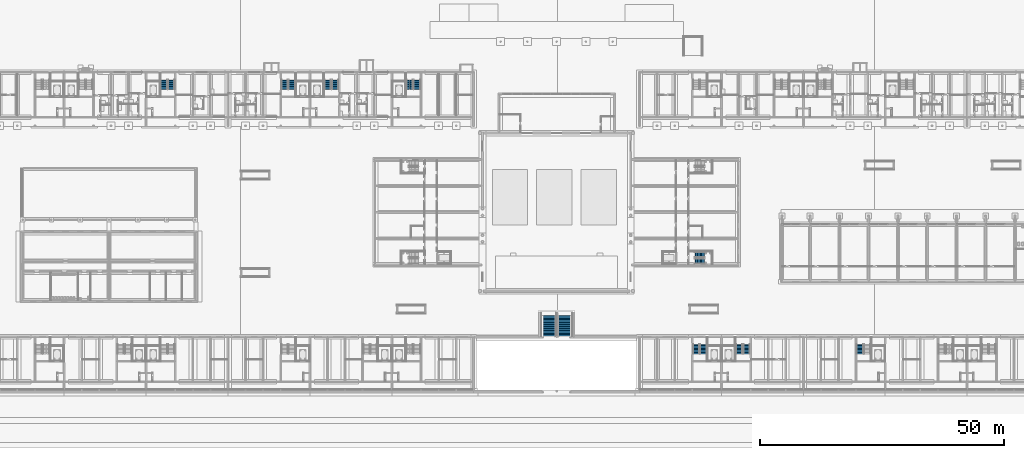
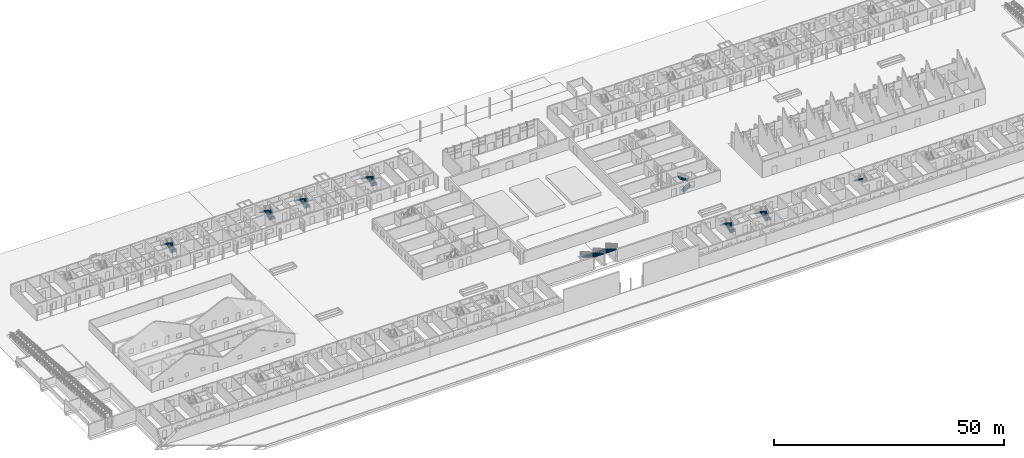
# One storey, part 72 of 112: 17 stair flights, 9 elements without a shape of their own.
"""IFC4 building model written with IfcOpenShell, lengths in metres."""

from ifc_helpers import new_model, si_unit, direction, frame, origin, place, context, subcontext, project, spatial, polyline, outline, extrude, material, type_object, element, aggregate, save


model = new_model("IFC4")

# Units and contexts
model_context = context("Model", 3, precision=1e-05, world=origin(), true_north=direction((0.0, 1.0)))
body_context = subcontext(model_context, "Body", "Model", "MODEL_VIEW")
ifc_project = project(units=[si_unit("LENGTHUNIT", "METRE"), si_unit("AREAUNIT", "SQUARE_METRE"), si_unit("VOLUMEUNIT", "CUBIC_METRE"), si_unit("PLANEANGLEUNIT", "RADIAN"), si_unit("MASSUNIT", "GRAM", prefix="KILO")], contexts=[model_context])

# Site, building, storey
site_placement = place(None, origin())
site = spatial("IfcSite", under=ifc_project, at=site_placement, CompositionType="ELEMENT")
building_placement = place(site_placement, origin())
building = spatial("IfcBuilding", under=site, at=building_placement, Name="Ridgestep Commons", CompositionType="ELEMENT")
storey_placement = place(building_placement, origin())
storey = spatial("IfcBuildingStorey", under=building, at=storey_placement, Name="L00", CompositionType="ELEMENT", Elevation=0.0)

# Stair, stair flights
ifc_material_1 = material(Name="Concrete C30/37", Category="concrete")
stair_type_1 = type_object("IfcStairType", Name="Community stair", PredefinedType="HALF_TURN_STAIR", material=ifc_material_1)
stair_1_placement = place(storey_placement, origin())
stair_1 = element("IfcStair", 1, at=stair_1_placement, inside=storey, type_object=stair_type_1, Name="L00 AE-ST0", PredefinedType="HALF_TURN_STAIR")
ifc_material_2 = material(Name="Concrete C30/37", Category="concrete")
stair_flight_type_1 = type_object("IfcStairFlightType", Name="Community stair flight", PredefinedType="STRAIGHT", material=ifc_material_2)
stair_flight_1_placement = place(storey_placement, frame((158.14990234375, 38.35009765625, 0.0), z_axis=(0.0, 0.0, 1.0), x_axis=(1.0, 0.0, 0.0)))
stair_flight_1 = element("IfcStairFlight", 2, at=stair_flight_1_placement, type_object=stair_flight_type_1, Name="AE-ST0 flight 1", NumberOfRisers=8, NumberOfTreads=7, PredefinedType="STRAIGHT", RiserHeight=0.1875, TreadLength=0.28, context=body_context, shape_type="SweptSolid", body=[
    extrude(outline(polyline([(0.0, 0.0), (0.0, 0.1875), (0.280029296875, 0.1875), (0.280029296875, 0.375), (0.56005859375, 0.375), (0.56005859375, 0.5625), (0.840087890625, 0.5625), (0.840087890625, 0.75), (1.1201171875, 0.75), (1.1201171875, 0.9375), (1.39990234375, 0.9375), (1.39990234375, 1.125), (1.679931640625, 1.125), (1.679931640625, 1.3125), (1.9599609375, 1.3125), (1.9599609375, 1.5), (1.9599609375, 1.132080078125), (0.26953125, 0.0), (0.0, 0.0)])), frame((0.0, 0.60009765625, 0.0), z_axis=(0.0, -1.0, 0.0), x_axis=(1.0, 0.0, 0.0)), (0.0, 0.0, 1.0), 0.594970703125),
    extrude(outline(polyline([(0.0, 0.0), (0.0, 0.1875), (0.280029296875, 0.1875), (0.280029296875, 0.375), (0.56005859375, 0.375), (0.56005859375, 0.5625), (0.840087890625, 0.5625), (0.840087890625, 0.75), (1.1201171875, 0.75), (1.1201171875, 0.9375), (1.39990234375, 0.9375), (1.39990234375, 1.125), (1.679931640625, 1.125), (1.679931640625, 1.3125), (1.9599609375, 1.3125), (1.9599609375, 1.5), (1.9599609375, 1.132080078125), (0.26953125, 0.0), (0.0, 0.0)])), frame((0.0, -0.0048828125, 0.0), z_axis=(0.0, -1.0, 0.0), x_axis=(1.0, 0.0, 0.0)), (0.0, 0.0, 1.0), 0.594970703125),
])
stair_flight_2_placement = place(storey_placement, frame((160.110107421875, 39.699951171875, 1.5), z_axis=(0.0, 0.0, 1.0), x_axis=(-1.0, 0.0, 0.0)))
stair_flight_2 = element("IfcStairFlight", 3, at=stair_flight_2_placement, type_object=stair_flight_type_1, Name="AE-ST0 flight 2", NumberOfRisers=8, NumberOfTreads=7, PredefinedType="STRAIGHT", RiserHeight=0.1875, TreadLength=0.28, context=body_context, shape_type="SweptSolid", body=[
    extrude(outline(polyline([(0.0, 0.0), (0.0, 0.1875), (0.280029296875, 0.1875), (0.280029296875, 0.375), (0.56005859375, 0.375), (0.56005859375, 0.5625), (0.840087890625, 0.5625), (0.840087890625, 0.75), (1.1201171875, 0.75), (1.1201171875, 0.9375), (1.39990234375, 0.9375), (1.39990234375, 1.125), (1.679931640625, 1.125), (1.679931640625, 1.3125), (1.9599609375, 1.3125), (1.9599609375, 1.5), (1.9599609375, 1.132080078125), (0.26953125, 0.0), (0.0, 0.0)])), frame((0.0, 0.60009765625, 0.0), z_axis=(0.0, -1.0, 0.0), x_axis=(1.0, 0.0, 0.0)), (0.0, 0.0, 1.0), 0.594970703125),
    extrude(outline(polyline([(0.0, 0.0), (0.0, 0.1875), (0.280029296875, 0.1875), (0.280029296875, 0.375), (0.56005859375, 0.375), (0.56005859375, 0.5625), (0.840087890625, 0.5625), (0.840087890625, 0.75), (1.1201171875, 0.75), (1.1201171875, 0.9375), (1.39990234375, 0.9375), (1.39990234375, 1.125), (1.679931640625, 1.125), (1.679931640625, 1.3125), (1.9599609375, 1.3125), (1.9599609375, 1.5), (1.9599609375, 1.132080078125), (0.26953125, 0.0), (0.0, 0.0)])), frame((0.0, -0.0048828125, 0.0), z_axis=(0.0, -1.0, 0.0), x_axis=(1.0, 0.0, 0.0)), (0.0, 0.0, 1.0), 0.594970703125),
])
aggregate(stair_1, [stair_flight_1, stair_flight_2])

ifc_material_3 = material(Name="Concrete C30/37", Category="concrete")
stair_type_2 = type_object("IfcStairType", Name="Monumental stair", PredefinedType="STRAIGHT_RUN_STAIR", material=ifc_material_3)
stair_2_placement = place(storey_placement, origin())
stair_2 = element("IfcStair", 4, at=stair_2_placement, inside=storey, type_object=stair_type_2, Name="Monumental stair T0 to T1", PredefinedType="STRAIGHT_RUN_STAIR")
ifc_material_4 = material(Name="Concrete C30/37", Category="concrete")
stair_flight_type_2 = type_object("IfcStairFlightType", Name="Monumental stair flight", PredefinedType="STRAIGHT", material=ifc_material_4)
stair_flight_3_placement = place(storey_placement, frame((128.199951171875, 27.760009765625, 0.0), z_axis=(0.0, 0.0, 1.0), x_axis=(0.0, -1.0, 0.0)))
stair_flight_3 = element("IfcStairFlight", 5, at=stair_flight_3_placement, type_object=stair_flight_type_2, Name="ST3 flight 1", NumberOfRisers=18, NumberOfTreads=17, PredefinedType="STRAIGHT", RiserHeight=0.166666667, TreadLength=0.28, context=body_context, shape_type="SweptSolid", body=[
    extrude(outline(polyline([(0.0, 0.0), (0.0, 0.166748046875), (0.280029296875, 0.166748046875), (0.280029296875, 0.333251953125), (0.56005859375, 0.333251953125), (0.56005859375, 0.5), (0.840087890625, 0.5), (0.840087890625, 0.666748046875), (1.1201171875, 0.666748046875), (1.1201171875, 0.833251953125), (1.39990234375, 0.833251953125), (1.39990234375, 1.0), (1.679931640625, 1.0), (1.679931640625, 1.166748046875), (1.9599609375, 1.166748046875), (1.9599609375, 1.333251953125), (2.239990234375, 1.333251953125), (2.239990234375, 1.5), (2.52001953125, 1.5), (2.52001953125, 1.666748046875), (2.800048828125, 1.666748046875), (2.800048828125, 1.833251953125), (3.080078125, 1.833251953125), (3.080078125, 2.0), (3.360107421875, 2.0), (3.360107421875, 2.166748046875), (3.639892578125, 2.166748046875), (3.639892578125, 2.333251953125), (3.919921875, 2.333251953125), (3.919921875, 2.5), (4.199951171875, 2.5), (4.199951171875, 2.666748046875), (4.47998046875, 2.666748046875), (4.47998046875, 2.833251953125), (4.760009765625, 2.833251953125), (4.760009765625, 3.0), (4.760009765625, 2.6005859375), (0.390869140625, 0.0), (0.0, 0.0)])), frame((0.0, 1.39990234375, 0.0), z_axis=(0.0, -1.0, 0.0), x_axis=(1.0, 0.0, 0.0)), (0.0, 0.0, 1.0), 1.39501953125),
    extrude(outline(polyline([(0.0, 0.0), (0.0, 0.166748046875), (0.280029296875, 0.166748046875), (0.280029296875, 0.333251953125), (0.56005859375, 0.333251953125), (0.56005859375, 0.5), (0.840087890625, 0.5), (0.840087890625, 0.666748046875), (1.1201171875, 0.666748046875), (1.1201171875, 0.833251953125), (1.39990234375, 0.833251953125), (1.39990234375, 1.0), (1.679931640625, 1.0), (1.679931640625, 1.166748046875), (1.9599609375, 1.166748046875), (1.9599609375, 1.333251953125), (2.239990234375, 1.333251953125), (2.239990234375, 1.5), (2.52001953125, 1.5), (2.52001953125, 1.666748046875), (2.800048828125, 1.666748046875), (2.800048828125, 1.833251953125), (3.080078125, 1.833251953125), (3.080078125, 2.0), (3.360107421875, 2.0), (3.360107421875, 2.166748046875), (3.639892578125, 2.166748046875), (3.639892578125, 2.333251953125), (3.919921875, 2.333251953125), (3.919921875, 2.5), (4.199951171875, 2.5), (4.199951171875, 2.666748046875), (4.47998046875, 2.666748046875), (4.47998046875, 2.833251953125), (4.760009765625, 2.833251953125), (4.760009765625, 3.0), (4.760009765625, 2.6005859375), (0.390869140625, 0.0), (0.0, 0.0)])), frame((0.0, -0.0048828125, 0.0), z_axis=(0.0, -1.0, 0.0), x_axis=(1.0, 0.0, 0.0)), (0.0, 0.0, 1.0), 1.39501953125),
])
stair_flight_4_placement = place(storey_placement, frame((131.39990234375, 27.760009765625, 0.0), z_axis=(0.0, 0.0, 1.0), x_axis=(0.0, -1.0, 0.0)))
stair_flight_4 = element("IfcStairFlight", 6, at=stair_flight_4_placement, type_object=stair_flight_type_2, Name="ST3 flight 2", NumberOfRisers=18, NumberOfTreads=17, PredefinedType="STRAIGHT", RiserHeight=0.166666667, TreadLength=0.28, context=body_context, shape_type="SweptSolid", body=[
    extrude(outline(polyline([(0.0, 0.0), (0.0, 0.166748046875), (0.280029296875, 0.166748046875), (0.280029296875, 0.333251953125), (0.56005859375, 0.333251953125), (0.56005859375, 0.5), (0.840087890625, 0.5), (0.840087890625, 0.666748046875), (1.1201171875, 0.666748046875), (1.1201171875, 0.833251953125), (1.39990234375, 0.833251953125), (1.39990234375, 1.0), (1.679931640625, 1.0), (1.679931640625, 1.166748046875), (1.9599609375, 1.166748046875), (1.9599609375, 1.333251953125), (2.239990234375, 1.333251953125), (2.239990234375, 1.5), (2.52001953125, 1.5), (2.52001953125, 1.666748046875), (2.800048828125, 1.666748046875), (2.800048828125, 1.833251953125), (3.080078125, 1.833251953125), (3.080078125, 2.0), (3.360107421875, 2.0), (3.360107421875, 2.166748046875), (3.639892578125, 2.166748046875), (3.639892578125, 2.333251953125), (3.919921875, 2.333251953125), (3.919921875, 2.5), (4.199951171875, 2.5), (4.199951171875, 2.666748046875), (4.47998046875, 2.666748046875), (4.47998046875, 2.833251953125), (4.760009765625, 2.833251953125), (4.760009765625, 3.0), (4.760009765625, 2.6005859375), (0.390869140625, 0.0), (0.0, 0.0)])), frame((0.0, 1.39990234375, 0.0), z_axis=(0.0, -1.0, 0.0), x_axis=(1.0, 0.0, 0.0)), (0.0, 0.0, 1.0), 1.39501953125),
    extrude(outline(polyline([(0.0, 0.0), (0.0, 0.166748046875), (0.280029296875, 0.166748046875), (0.280029296875, 0.333251953125), (0.56005859375, 0.333251953125), (0.56005859375, 0.5), (0.840087890625, 0.5), (0.840087890625, 0.666748046875), (1.1201171875, 0.666748046875), (1.1201171875, 0.833251953125), (1.39990234375, 0.833251953125), (1.39990234375, 1.0), (1.679931640625, 1.0), (1.679931640625, 1.166748046875), (1.9599609375, 1.166748046875), (1.9599609375, 1.333251953125), (2.239990234375, 1.333251953125), (2.239990234375, 1.5), (2.52001953125, 1.5), (2.52001953125, 1.666748046875), (2.800048828125, 1.666748046875), (2.800048828125, 1.833251953125), (3.080078125, 1.833251953125), (3.080078125, 2.0), (3.360107421875, 2.0), (3.360107421875, 2.166748046875), (3.639892578125, 2.166748046875), (3.639892578125, 2.333251953125), (3.919921875, 2.333251953125), (3.919921875, 2.5), (4.199951171875, 2.5), (4.199951171875, 2.666748046875), (4.47998046875, 2.666748046875), (4.47998046875, 2.833251953125), (4.760009765625, 2.833251953125), (4.760009765625, 3.0), (4.760009765625, 2.6005859375), (0.390869140625, 0.0), (0.0, 0.0)])), frame((0.0, -0.0048828125, 0.0), z_axis=(0.0, -1.0, 0.0), x_axis=(1.0, 0.0, 0.0)), (0.0, 0.0, 1.0), 1.39501953125),
])
aggregate(stair_2, [stair_flight_3, stair_flight_4])

ifc_material_5 = material(Name="Precast concrete C40/50", Category="concrete")
stair_type_3 = type_object("IfcStairType", Name="Escape stair 1400", PredefinedType="HALF_TURN_STAIR", material=ifc_material_5)
stair_3_placement = place(storey_placement, origin())
stair_3 = element("IfcStair", 7, at=stair_3_placement, inside=storey, type_object=stair_type_3, Name="L00 Escape stair B3C", PredefinedType="HALF_TURN_STAIR")
ifc_material_6 = material(Name="Precast concrete C40/50", Category="concrete")
stair_flight_type_3 = type_object("IfcStairFlightType", Name="Stair flight 1400", PredefinedType="STRAIGHT", material=ifc_material_6)
stair_flight_5_placement = place(storey_placement, frame((50.77490234375, 73.60009765625, 0.0), z_axis=(0.0, 0.0, 1.0), x_axis=(0.0, 1.0, 0.0)))
stair_flight_5 = element("IfcStairFlight", 8, at=stair_flight_5_placement, type_object=stair_flight_type_3, Name="B3C flight 1", NumberOfRisers=8, NumberOfTreads=7, PredefinedType="STRAIGHT", RiserHeight=0.1875, TreadLength=0.28, context=body_context, shape_type="SweptSolid", body=[
    extrude(outline(polyline([(0.0, 0.0), (0.0, 0.1875), (0.280029296875, 0.1875), (0.280029296875, 0.375), (0.56005859375, 0.375), (0.56005859375, 0.5625), (0.840087890625, 0.5625), (0.840087890625, 0.75), (1.1201171875, 0.75), (1.1201171875, 0.9375), (1.39990234375, 0.9375), (1.39990234375, 1.125), (1.679931640625, 1.125), (1.679931640625, 1.3125), (1.9599609375, 1.3125), (1.9599609375, 1.5), (1.9599609375, 1.132080078125), (0.26953125, 0.0), (0.0, 0.0)])), frame((0.0, 0.699951171875, 0.0), z_axis=(0.0, -1.0, 0.0), x_axis=(1.0, 0.0, 0.0)), (0.0, 0.0, 1.0), 0.695068359375),
    extrude(outline(polyline([(0.0, 0.0), (0.0, 0.1875), (0.280029296875, 0.1875), (0.280029296875, 0.375), (0.56005859375, 0.375), (0.56005859375, 0.5625), (0.840087890625, 0.5625), (0.840087890625, 0.75), (1.1201171875, 0.75), (1.1201171875, 0.9375), (1.39990234375, 0.9375), (1.39990234375, 1.125), (1.679931640625, 1.125), (1.679931640625, 1.3125), (1.9599609375, 1.3125), (1.9599609375, 1.5), (1.9599609375, 1.132080078125), (0.26953125, 0.0), (0.0, 0.0)])), frame((0.0, -0.0048828125, 0.0), z_axis=(0.0, -1.0, 0.0), x_axis=(1.0, 0.0, 0.0)), (0.0, 0.0, 1.0), 0.695068359375),
])
stair_flight_6_placement = place(storey_placement, frame((49.27490234375, 75.56005859375, 1.5), z_axis=(0.0, 0.0, 1.0), x_axis=(0.0, -1.0, 0.0)))
stair_flight_6 = element("IfcStairFlight", 9, at=stair_flight_6_placement, type_object=stair_flight_type_3, Name="B3C flight 2", NumberOfRisers=8, NumberOfTreads=7, PredefinedType="STRAIGHT", RiserHeight=0.1875, TreadLength=0.28, context=body_context, shape_type="SweptSolid", body=[
    extrude(outline(polyline([(0.0, 0.0), (0.0, 0.1875), (0.280029296875, 0.1875), (0.280029296875, 0.375), (0.56005859375, 0.375), (0.56005859375, 0.5625), (0.840087890625, 0.5625), (0.840087890625, 0.75), (1.1201171875, 0.75), (1.1201171875, 0.9375), (1.39990234375, 0.9375), (1.39990234375, 1.125), (1.679931640625, 1.125), (1.679931640625, 1.3125), (1.9599609375, 1.3125), (1.9599609375, 1.5), (1.9599609375, 1.132080078125), (0.26953125, 0.0), (0.0, 0.0)])), frame((0.0, 0.699951171875, 0.0), z_axis=(0.0, -1.0, 0.0), x_axis=(1.0, 0.0, 0.0)), (0.0, 0.0, 1.0), 0.695068359375),
    extrude(outline(polyline([(0.0, 0.0), (0.0, 0.1875), (0.280029296875, 0.1875), (0.280029296875, 0.375), (0.56005859375, 0.375), (0.56005859375, 0.5625), (0.840087890625, 0.5625), (0.840087890625, 0.75), (1.1201171875, 0.75), (1.1201171875, 0.9375), (1.39990234375, 0.9375), (1.39990234375, 1.125), (1.679931640625, 1.125), (1.679931640625, 1.3125), (1.9599609375, 1.3125), (1.9599609375, 1.5), (1.9599609375, 1.132080078125), (0.26953125, 0.0), (0.0, 0.0)])), frame((0.0, -0.0048828125, 0.0), z_axis=(0.0, -1.0, 0.0), x_axis=(1.0, 0.0, 0.0)), (0.0, 0.0, 1.0), 0.695068359375),
])
aggregate(stair_3, [stair_flight_5, stair_flight_6])

stair_4_placement = place(storey_placement, origin())
stair_4 = element("IfcStair", 10, at=stair_4_placement, inside=storey, type_object=stair_type_3, Name="L00 Escape stair B4C", PredefinedType="HALF_TURN_STAIR")
stair_flight_7_placement = place(storey_placement, frame((75.52490234375, 73.60009765625, 0.0), z_axis=(0.0, 0.0, 1.0), x_axis=(0.0, 1.0, 0.0)))
stair_flight_7 = element("IfcStairFlight", 11, at=stair_flight_7_placement, type_object=stair_flight_type_3, Name="B4C flight 1", NumberOfRisers=8, NumberOfTreads=7, PredefinedType="STRAIGHT", RiserHeight=0.1875, TreadLength=0.28, context=body_context, shape_type="SweptSolid", body=[
    extrude(outline(polyline([(0.0, 0.0), (0.0, 0.1875), (0.280029296875, 0.1875), (0.280029296875, 0.375), (0.56005859375, 0.375), (0.56005859375, 0.5625), (0.840087890625, 0.5625), (0.840087890625, 0.75), (1.1201171875, 0.75), (1.1201171875, 0.9375), (1.39990234375, 0.9375), (1.39990234375, 1.125), (1.679931640625, 1.125), (1.679931640625, 1.3125), (1.9599609375, 1.3125), (1.9599609375, 1.5), (1.9599609375, 1.132080078125), (0.26953125, 0.0), (0.0, 0.0)])), frame((0.0, 0.699951171875, 0.0), z_axis=(0.0, -1.0, 0.0), x_axis=(1.0, 0.0, 0.0)), (0.0, 0.0, 1.0), 0.695068359375),
    extrude(outline(polyline([(0.0, 0.0), (0.0, 0.1875), (0.280029296875, 0.1875), (0.280029296875, 0.375), (0.56005859375, 0.375), (0.56005859375, 0.5625), (0.840087890625, 0.5625), (0.840087890625, 0.75), (1.1201171875, 0.75), (1.1201171875, 0.9375), (1.39990234375, 0.9375), (1.39990234375, 1.125), (1.679931640625, 1.125), (1.679931640625, 1.3125), (1.9599609375, 1.3125), (1.9599609375, 1.5), (1.9599609375, 1.132080078125), (0.26953125, 0.0), (0.0, 0.0)])), frame((0.0, -0.0048828125, 0.0), z_axis=(0.0, -1.0, 0.0), x_axis=(1.0, 0.0, 0.0)), (0.0, 0.0, 1.0), 0.695068359375),
])
stair_flight_8_placement = place(storey_placement, frame((74.02490234375, 75.56005859375, 1.5), z_axis=(0.0, 0.0, 1.0), x_axis=(0.0, -1.0, 0.0)))
stair_flight_8 = element("IfcStairFlight", 12, at=stair_flight_8_placement, type_object=stair_flight_type_3, Name="B4C flight 2", NumberOfRisers=8, NumberOfTreads=7, PredefinedType="STRAIGHT", RiserHeight=0.1875, TreadLength=0.28, context=body_context, shape_type="SweptSolid", body=[
    extrude(outline(polyline([(0.0, 0.0), (0.0, 0.1875), (0.280029296875, 0.1875), (0.280029296875, 0.375), (0.56005859375, 0.375), (0.56005859375, 0.5625), (0.840087890625, 0.5625), (0.840087890625, 0.75), (1.1201171875, 0.75), (1.1201171875, 0.9375), (1.39990234375, 0.9375), (1.39990234375, 1.125), (1.679931640625, 1.125), (1.679931640625, 1.3125), (1.9599609375, 1.3125), (1.9599609375, 1.5), (1.9599609375, 1.132080078125), (0.26953125, 0.0), (0.0, 0.0)])), frame((0.0, 0.699951171875, 0.0), z_axis=(0.0, -1.0, 0.0), x_axis=(1.0, 0.0, 0.0)), (0.0, 0.0, 1.0), 0.695068359375),
    extrude(outline(polyline([(0.0, 0.0), (0.0, 0.1875), (0.280029296875, 0.1875), (0.280029296875, 0.375), (0.56005859375, 0.375), (0.56005859375, 0.5625), (0.840087890625, 0.5625), (0.840087890625, 0.75), (1.1201171875, 0.75), (1.1201171875, 0.9375), (1.39990234375, 0.9375), (1.39990234375, 1.125), (1.679931640625, 1.125), (1.679931640625, 1.3125), (1.9599609375, 1.3125), (1.9599609375, 1.5), (1.9599609375, 1.132080078125), (0.26953125, 0.0), (0.0, 0.0)])), frame((0.0, -0.0048828125, 0.0), z_axis=(0.0, -1.0, 0.0), x_axis=(1.0, 0.0, 0.0)), (0.0, 0.0, 1.0), 0.695068359375),
])
aggregate(stair_4, [stair_flight_7, stair_flight_8])

stair_5_placement = place(storey_placement, origin())
stair_5 = element("IfcStair", 13, at=stair_5_placement, inside=storey, type_object=stair_type_3, Name="L00 Escape stair B5C", PredefinedType="HALF_TURN_STAIR")
stair_flight_9_placement = place(storey_placement, frame((84.375, 73.60009765625, 0.0), z_axis=(0.0, 0.0, 1.0), x_axis=(0.0, 1.0, 0.0)))
stair_flight_9 = element("IfcStairFlight", 14, at=stair_flight_9_placement, type_object=stair_flight_type_3, Name="B5C flight 1", NumberOfRisers=8, NumberOfTreads=7, PredefinedType="STRAIGHT", RiserHeight=0.1875, TreadLength=0.28, context=body_context, shape_type="SweptSolid", body=[
    extrude(outline(polyline([(0.0, 0.0), (0.0, 0.1875), (0.280029296875, 0.1875), (0.280029296875, 0.375), (0.56005859375, 0.375), (0.56005859375, 0.5625), (0.840087890625, 0.5625), (0.840087890625, 0.75), (1.1201171875, 0.75), (1.1201171875, 0.9375), (1.39990234375, 0.9375), (1.39990234375, 1.125), (1.679931640625, 1.125), (1.679931640625, 1.3125), (1.9599609375, 1.3125), (1.9599609375, 1.5), (1.9599609375, 1.132080078125), (0.26953125, 0.0), (0.0, 0.0)])), frame((0.0, 0.699951171875, 0.0), z_axis=(0.0, -1.0, 0.0), x_axis=(1.0, 0.0, 0.0)), (0.0, 0.0, 1.0), 0.695068359375),
    extrude(outline(polyline([(0.0, 0.0), (0.0, 0.1875), (0.280029296875, 0.1875), (0.280029296875, 0.375), (0.56005859375, 0.375), (0.56005859375, 0.5625), (0.840087890625, 0.5625), (0.840087890625, 0.75), (1.1201171875, 0.75), (1.1201171875, 0.9375), (1.39990234375, 0.9375), (1.39990234375, 1.125), (1.679931640625, 1.125), (1.679931640625, 1.3125), (1.9599609375, 1.3125), (1.9599609375, 1.5), (1.9599609375, 1.132080078125), (0.26953125, 0.0), (0.0, 0.0)])), frame((0.0, -0.0048828125, 0.0), z_axis=(0.0, -1.0, 0.0), x_axis=(1.0, 0.0, 0.0)), (0.0, 0.0, 1.0), 0.695068359375),
])
stair_flight_10_placement = place(storey_placement, frame((82.875, 75.56005859375, 1.5), z_axis=(0.0, 0.0, 1.0), x_axis=(0.0, -1.0, 0.0)))
stair_flight_10 = element("IfcStairFlight", 15, at=stair_flight_10_placement, type_object=stair_flight_type_3, Name="B5C flight 2", NumberOfRisers=8, NumberOfTreads=7, PredefinedType="STRAIGHT", RiserHeight=0.1875, TreadLength=0.28, context=body_context, shape_type="SweptSolid", body=[
    extrude(outline(polyline([(0.0, 0.0), (0.0, 0.1875), (0.280029296875, 0.1875), (0.280029296875, 0.375), (0.56005859375, 0.375), (0.56005859375, 0.5625), (0.840087890625, 0.5625), (0.840087890625, 0.75), (1.1201171875, 0.75), (1.1201171875, 0.9375), (1.39990234375, 0.9375), (1.39990234375, 1.125), (1.679931640625, 1.125), (1.679931640625, 1.3125), (1.9599609375, 1.3125), (1.9599609375, 1.5), (1.9599609375, 1.132080078125), (0.26953125, 0.0), (0.0, 0.0)])), frame((0.0, 0.699951171875, 0.0), z_axis=(0.0, -1.0, 0.0), x_axis=(1.0, 0.0, 0.0)), (0.0, 0.0, 1.0), 0.695068359375),
    extrude(outline(polyline([(0.0, 0.0), (0.0, 0.1875), (0.280029296875, 0.1875), (0.280029296875, 0.375), (0.56005859375, 0.375), (0.56005859375, 0.5625), (0.840087890625, 0.5625), (0.840087890625, 0.75), (1.1201171875, 0.75), (1.1201171875, 0.9375), (1.39990234375, 0.9375), (1.39990234375, 1.125), (1.679931640625, 1.125), (1.679931640625, 1.3125), (1.9599609375, 1.3125), (1.9599609375, 1.5), (1.9599609375, 1.132080078125), (0.26953125, 0.0), (0.0, 0.0)])), frame((0.0, -0.0048828125, 0.0), z_axis=(0.0, -1.0, 0.0), x_axis=(1.0, 0.0, 0.0)), (0.0, 0.0, 1.0), 0.695068359375),
])
aggregate(stair_5, [stair_flight_9, stair_flight_10])

stair_6_placement = place(storey_placement, origin())
stair_6 = element("IfcStair", 16, at=stair_6_placement, inside=storey, type_object=stair_type_3, Name="L00 Escape stair B6C", PredefinedType="HALF_TURN_STAIR")
stair_flight_11_placement = place(storey_placement, frame((101.175048828125, 73.60009765625, 0.0), z_axis=(0.0, 0.0, 1.0), x_axis=(0.0, 1.0, 0.0)))
stair_flight_11 = element("IfcStairFlight", 17, at=stair_flight_11_placement, type_object=stair_flight_type_3, Name="B6C flight 1", NumberOfRisers=8, NumberOfTreads=7, PredefinedType="STRAIGHT", RiserHeight=0.1875, TreadLength=0.28, context=body_context, shape_type="SweptSolid", body=[
    extrude(outline(polyline([(0.0, 0.0), (0.0, 0.1875), (0.280029296875, 0.1875), (0.280029296875, 0.375), (0.56005859375, 0.375), (0.56005859375, 0.5625), (0.840087890625, 0.5625), (0.840087890625, 0.75), (1.1201171875, 0.75), (1.1201171875, 0.9375), (1.39990234375, 0.9375), (1.39990234375, 1.125), (1.679931640625, 1.125), (1.679931640625, 1.3125), (1.9599609375, 1.3125), (1.9599609375, 1.5), (1.9599609375, 1.132080078125), (0.26953125, 0.0), (0.0, 0.0)])), frame((0.0, 0.699951171875, 0.0), z_axis=(0.0, -1.0, 0.0), x_axis=(1.0, 0.0, 0.0)), (0.0, 0.0, 1.0), 0.695068359375),
    extrude(outline(polyline([(0.0, 0.0), (0.0, 0.1875), (0.280029296875, 0.1875), (0.280029296875, 0.375), (0.56005859375, 0.375), (0.56005859375, 0.5625), (0.840087890625, 0.5625), (0.840087890625, 0.75), (1.1201171875, 0.75), (1.1201171875, 0.9375), (1.39990234375, 0.9375), (1.39990234375, 1.125), (1.679931640625, 1.125), (1.679931640625, 1.3125), (1.9599609375, 1.3125), (1.9599609375, 1.5), (1.9599609375, 1.132080078125), (0.26953125, 0.0), (0.0, 0.0)])), frame((0.0, -0.0048828125, 0.0), z_axis=(0.0, -1.0, 0.0), x_axis=(1.0, 0.0, 0.0)), (0.0, 0.0, 1.0), 0.695068359375),
])
stair_flight_12_placement = place(storey_placement, frame((99.675048828125, 75.56005859375, 1.5), z_axis=(0.0, 0.0, 1.0), x_axis=(0.0, -1.0, 0.0)))
stair_flight_12 = element("IfcStairFlight", 18, at=stair_flight_12_placement, type_object=stair_flight_type_3, Name="B6C flight 2", NumberOfRisers=8, NumberOfTreads=7, PredefinedType="STRAIGHT", RiserHeight=0.1875, TreadLength=0.28, context=body_context, shape_type="SweptSolid", body=[
    extrude(outline(polyline([(0.0, 0.0), (0.0, 0.1875), (0.280029296875, 0.1875), (0.280029296875, 0.375), (0.56005859375, 0.375), (0.56005859375, 0.5625), (0.840087890625, 0.5625), (0.840087890625, 0.75), (1.1201171875, 0.75), (1.1201171875, 0.9375), (1.39990234375, 0.9375), (1.39990234375, 1.125), (1.679931640625, 1.125), (1.679931640625, 1.3125), (1.9599609375, 1.3125), (1.9599609375, 1.5), (1.9599609375, 1.132080078125), (0.26953125, 0.0), (0.0, 0.0)])), frame((0.0, 0.699951171875, 0.0), z_axis=(0.0, -1.0, 0.0), x_axis=(1.0, 0.0, 0.0)), (0.0, 0.0, 1.0), 0.695068359375),
    extrude(outline(polyline([(0.0, 0.0), (0.0, 0.1875), (0.280029296875, 0.1875), (0.280029296875, 0.375), (0.56005859375, 0.375), (0.56005859375, 0.5625), (0.840087890625, 0.5625), (0.840087890625, 0.75), (1.1201171875, 0.75), (1.1201171875, 0.9375), (1.39990234375, 0.9375), (1.39990234375, 1.125), (1.679931640625, 1.125), (1.679931640625, 1.3125), (1.9599609375, 1.3125), (1.9599609375, 1.5), (1.9599609375, 1.132080078125), (0.26953125, 0.0), (0.0, 0.0)])), frame((0.0, -0.0048828125, 0.0), z_axis=(0.0, -1.0, 0.0), x_axis=(1.0, 0.0, 0.0)), (0.0, 0.0, 1.0), 0.695068359375),
])
aggregate(stair_6, [stair_flight_11, stair_flight_12])

stair_7_placement = place(storey_placement, origin())
stair_7 = element("IfcStair", 19, at=stair_7_placement, inside=storey, type_object=stair_type_3, Name="L00 Escape stair D1C", PredefinedType="HALF_TURN_STAIR")
stair_flight_13_placement = place(storey_placement, frame((159.925048828125, 19.35009765625, 0.0), z_axis=(0.0, 0.0, 1.0), x_axis=(0.0, 1.0, 0.0)))
stair_flight_13 = element("IfcStairFlight", 20, at=stair_flight_13_placement, type_object=stair_flight_type_3, Name="D1C flight 1", NumberOfRisers=8, NumberOfTreads=7, PredefinedType="STRAIGHT", RiserHeight=0.1875, TreadLength=0.28, context=body_context, shape_type="SweptSolid", body=[
    extrude(outline(polyline([(0.0, 0.0), (0.0, 0.1875), (0.280029296875, 0.1875), (0.280029296875, 0.375), (0.56005859375, 0.375), (0.56005859375, 0.5625), (0.840087890625, 0.5625), (0.840087890625, 0.75), (1.1201171875, 0.75), (1.1201171875, 0.9375), (1.39990234375, 0.9375), (1.39990234375, 1.125), (1.679931640625, 1.125), (1.679931640625, 1.3125), (1.9599609375, 1.3125), (1.9599609375, 1.5), (1.9599609375, 1.132080078125), (0.26953125, 0.0), (0.0, 0.0)])), frame((0.0, 0.699951171875, 0.0), z_axis=(0.0, -1.0, 0.0), x_axis=(1.0, 0.0, 0.0)), (0.0, 0.0, 1.0), 0.695068359375),
    extrude(outline(polyline([(0.0, 0.0), (0.0, 0.1875), (0.280029296875, 0.1875), (0.280029296875, 0.375), (0.56005859375, 0.375), (0.56005859375, 0.5625), (0.840087890625, 0.5625), (0.840087890625, 0.75), (1.1201171875, 0.75), (1.1201171875, 0.9375), (1.39990234375, 0.9375), (1.39990234375, 1.125), (1.679931640625, 1.125), (1.679931640625, 1.3125), (1.9599609375, 1.3125), (1.9599609375, 1.5), (1.9599609375, 1.132080078125), (0.26953125, 0.0), (0.0, 0.0)])), frame((0.0, -0.0048828125, 0.0), z_axis=(0.0, -1.0, 0.0), x_axis=(1.0, 0.0, 0.0)), (0.0, 0.0, 1.0), 0.695068359375),
])
stair_flight_14_placement = place(storey_placement, frame((158.425048828125, 21.31005859375, 1.5), z_axis=(0.0, 0.0, 1.0), x_axis=(0.0, -1.0, 0.0)))
stair_flight_14 = element("IfcStairFlight", 21, at=stair_flight_14_placement, type_object=stair_flight_type_3, Name="D1C flight 2", NumberOfRisers=8, NumberOfTreads=7, PredefinedType="STRAIGHT", RiserHeight=0.1875, TreadLength=0.28, context=body_context, shape_type="SweptSolid", body=[
    extrude(outline(polyline([(0.0, 0.0), (0.0, 0.1875), (0.280029296875, 0.1875), (0.280029296875, 0.375), (0.56005859375, 0.375), (0.56005859375, 0.5625), (0.840087890625, 0.5625), (0.840087890625, 0.75), (1.1201171875, 0.75), (1.1201171875, 0.9375), (1.39990234375, 0.9375), (1.39990234375, 1.125), (1.679931640625, 1.125), (1.679931640625, 1.3125), (1.9599609375, 1.3125), (1.9599609375, 1.5), (1.9599609375, 1.132080078125), (0.26953125, 0.0), (0.0, 0.0)])), frame((0.0, 0.699951171875, 0.0), z_axis=(0.0, -1.0, 0.0), x_axis=(1.0, 0.0, 0.0)), (0.0, 0.0, 1.0), 0.695068359375),
    extrude(outline(polyline([(0.0, 0.0), (0.0, 0.1875), (0.280029296875, 0.1875), (0.280029296875, 0.375), (0.56005859375, 0.375), (0.56005859375, 0.5625), (0.840087890625, 0.5625), (0.840087890625, 0.75), (1.1201171875, 0.75), (1.1201171875, 0.9375), (1.39990234375, 0.9375), (1.39990234375, 1.125), (1.679931640625, 1.125), (1.679931640625, 1.3125), (1.9599609375, 1.3125), (1.9599609375, 1.5), (1.9599609375, 1.132080078125), (0.26953125, 0.0), (0.0, 0.0)])), frame((0.0, -0.0048828125, 0.0), z_axis=(0.0, -1.0, 0.0), x_axis=(1.0, 0.0, 0.0)), (0.0, 0.0, 1.0), 0.695068359375),
])
aggregate(stair_7, [stair_flight_13, stair_flight_14])

stair_8_placement = place(storey_placement, origin())
stair_8 = element("IfcStair", 22, at=stair_8_placement, inside=storey, type_object=stair_type_3, Name="L00 Escape stair D2C", PredefinedType="HALF_TURN_STAIR")
stair_flight_15_placement = place(storey_placement, frame((168.77490234375, 19.35009765625, 0.0), z_axis=(0.0, 0.0, 1.0), x_axis=(0.0, 1.0, 0.0)))
stair_flight_15 = element("IfcStairFlight", 23, at=stair_flight_15_placement, type_object=stair_flight_type_3, Name="D2C flight 1", NumberOfRisers=8, NumberOfTreads=7, PredefinedType="STRAIGHT", RiserHeight=0.1875, TreadLength=0.28, context=body_context, shape_type="SweptSolid", body=[
    extrude(outline(polyline([(0.0, 0.0), (0.0, 0.1875), (0.280029296875, 0.1875), (0.280029296875, 0.375), (0.56005859375, 0.375), (0.56005859375, 0.5625), (0.840087890625, 0.5625), (0.840087890625, 0.75), (1.1201171875, 0.75), (1.1201171875, 0.9375), (1.39990234375, 0.9375), (1.39990234375, 1.125), (1.679931640625, 1.125), (1.679931640625, 1.3125), (1.9599609375, 1.3125), (1.9599609375, 1.5), (1.9599609375, 1.132080078125), (0.26953125, 0.0), (0.0, 0.0)])), frame((0.0, 0.699951171875, 0.0), z_axis=(0.0, -1.0, 0.0), x_axis=(1.0, 0.0, 0.0)), (0.0, 0.0, 1.0), 0.695068359375),
    extrude(outline(polyline([(0.0, 0.0), (0.0, 0.1875), (0.280029296875, 0.1875), (0.280029296875, 0.375), (0.56005859375, 0.375), (0.56005859375, 0.5625), (0.840087890625, 0.5625), (0.840087890625, 0.75), (1.1201171875, 0.75), (1.1201171875, 0.9375), (1.39990234375, 0.9375), (1.39990234375, 1.125), (1.679931640625, 1.125), (1.679931640625, 1.3125), (1.9599609375, 1.3125), (1.9599609375, 1.5), (1.9599609375, 1.132080078125), (0.26953125, 0.0), (0.0, 0.0)])), frame((0.0, -0.0048828125, 0.0), z_axis=(0.0, -1.0, 0.0), x_axis=(1.0, 0.0, 0.0)), (0.0, 0.0, 1.0), 0.695068359375),
])
stair_flight_16_placement = place(storey_placement, frame((167.27490234375, 21.31005859375, 1.5), z_axis=(0.0, 0.0, 1.0), x_axis=(0.0, -1.0, 0.0)))
stair_flight_16 = element("IfcStairFlight", 24, at=stair_flight_16_placement, type_object=stair_flight_type_3, Name="D2C flight 2", NumberOfRisers=8, NumberOfTreads=7, PredefinedType="STRAIGHT", RiserHeight=0.1875, TreadLength=0.28, context=body_context, shape_type="SweptSolid", body=[
    extrude(outline(polyline([(0.0, 0.0), (0.0, 0.1875), (0.280029296875, 0.1875), (0.280029296875, 0.375), (0.56005859375, 0.375), (0.56005859375, 0.5625), (0.840087890625, 0.5625), (0.840087890625, 0.75), (1.1201171875, 0.75), (1.1201171875, 0.9375), (1.39990234375, 0.9375), (1.39990234375, 1.125), (1.679931640625, 1.125), (1.679931640625, 1.3125), (1.9599609375, 1.3125), (1.9599609375, 1.5), (1.9599609375, 1.132080078125), (0.26953125, 0.0), (0.0, 0.0)])), frame((0.0, 0.699951171875, 0.0), z_axis=(0.0, -1.0, 0.0), x_axis=(1.0, 0.0, 0.0)), (0.0, 0.0, 1.0), 0.695068359375),
    extrude(outline(polyline([(0.0, 0.0), (0.0, 0.1875), (0.280029296875, 0.1875), (0.280029296875, 0.375), (0.56005859375, 0.375), (0.56005859375, 0.5625), (0.840087890625, 0.5625), (0.840087890625, 0.75), (1.1201171875, 0.75), (1.1201171875, 0.9375), (1.39990234375, 0.9375), (1.39990234375, 1.125), (1.679931640625, 1.125), (1.679931640625, 1.3125), (1.9599609375, 1.3125), (1.9599609375, 1.5), (1.9599609375, 1.132080078125), (0.26953125, 0.0), (0.0, 0.0)])), frame((0.0, -0.0048828125, 0.0), z_axis=(0.0, -1.0, 0.0), x_axis=(1.0, 0.0, 0.0)), (0.0, 0.0, 1.0), 0.695068359375),
])
aggregate(stair_8, [stair_flight_15, stair_flight_16])

# Stair, stair flight
stair_9_placement = place(storey_placement, origin())
stair_9 = element("IfcStair", 25, at=stair_9_placement, inside=storey, type_object=stair_type_3, Name="L00 Escape stair D3C", PredefinedType="HALF_TURN_STAIR")
stair_flight_17_placement = place(storey_placement, frame((192.02490234375, 21.31005859375, 1.5), z_axis=(0.0, 0.0, 1.0), x_axis=(0.0, -1.0, 0.0)))
stair_flight_17 = element("IfcStairFlight", 26, at=stair_flight_17_placement, type_object=stair_flight_type_3, Name="D3C flight 2", NumberOfRisers=8, NumberOfTreads=7, PredefinedType="STRAIGHT", RiserHeight=0.1875, TreadLength=0.28, context=body_context, shape_type="SweptSolid", body=[
    extrude(outline(polyline([(0.0, 0.0), (0.0, 0.1875), (0.280029296875, 0.1875), (0.280029296875, 0.375), (0.56005859375, 0.375), (0.56005859375, 0.5625), (0.840087890625, 0.5625), (0.840087890625, 0.75), (1.1201171875, 0.75), (1.1201171875, 0.9375), (1.39990234375, 0.9375), (1.39990234375, 1.125), (1.679931640625, 1.125), (1.679931640625, 1.3125), (1.9599609375, 1.3125), (1.9599609375, 1.5), (1.9599609375, 1.132080078125), (0.26953125, 0.0), (0.0, 0.0)])), frame((0.0, 0.699951171875, 0.0), z_axis=(0.0, -1.0, 0.0), x_axis=(1.0, 0.0, 0.0)), (0.0, 0.0, 1.0), 0.695068359375),
    extrude(outline(polyline([(0.0, 0.0), (0.0, 0.1875), (0.280029296875, 0.1875), (0.280029296875, 0.375), (0.56005859375, 0.375), (0.56005859375, 0.5625), (0.840087890625, 0.5625), (0.840087890625, 0.75), (1.1201171875, 0.75), (1.1201171875, 0.9375), (1.39990234375, 0.9375), (1.39990234375, 1.125), (1.679931640625, 1.125), (1.679931640625, 1.3125), (1.9599609375, 1.3125), (1.9599609375, 1.5), (1.9599609375, 1.132080078125), (0.26953125, 0.0), (0.0, 0.0)])), frame((0.0, -0.0048828125, 0.0), z_axis=(0.0, -1.0, 0.0), x_axis=(1.0, 0.0, 0.0)), (0.0, 0.0, 1.0), 0.695068359375),
])
aggregate(stair_9, [stair_flight_17])

save(model, "model.ifc")
